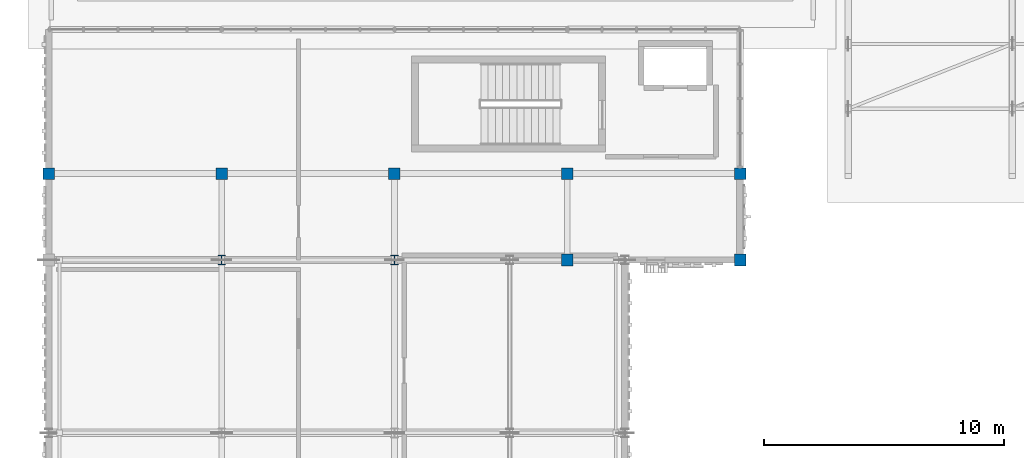
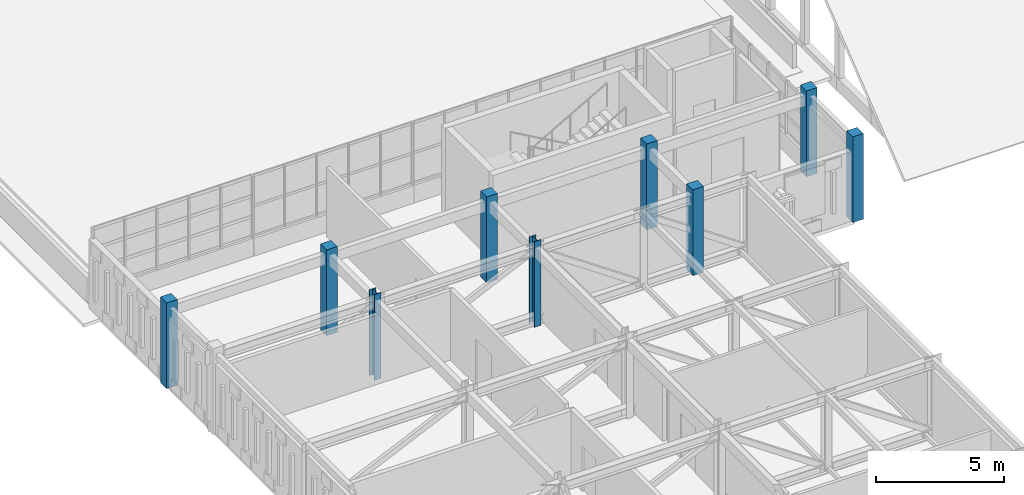
# One storey, part 3 of 79: 9 columns.
"""IFC4 building model written with IfcOpenShell, lengths in metres."""

import ifcopenshell
import ifcopenshell.guid

model = None  # the IFC model being written
_history = None  # IfcOwnerHistory: only IFC2X3 demands one
_inside = {}  # id of a spatial element -> (the spatial element, [elements in it])
_under = {}  # id of a project, library or spatial element -> (it, [spatial elements below it])
_declared = {}  # id of a project -> (the project, [libraries it declares])
_typed = {}  # id of a type object -> (the type object, [elements of that type])
_made_of = {}  # id of a material, layer set ... -> (it, [elements and type objects made of it])


def new_model(schema):
    """Start an empty IFC model of exactly this schema.

    Asked for "IFC4X3", IfcOpenShell would pick the latest addendum, in which some entities
    have other attributes; the version numbers below select the first issue.
    IFC2X3 requires an IfcOwnerHistory on every rooted entity: one is made here for all.
    """
    global model, _history
    if schema == "IFC4X3":
        model = ifcopenshell.file(schema_version=(4, 3, 0, 0))
    else:
        model = ifcopenshell.file(schema=schema)
    _inside.clear()
    _under.clear()
    _declared.clear()
    _typed.clear()
    _made_of.clear()
    _history = None
    if model.schema == "IFC2X3":
        org = make("IfcOrganization", Name="unknown")
        user = make(
            "IfcPersonAndOrganization",
            ThePerson=make("IfcPerson", FamilyName="unknown"),
            TheOrganization=org,
        )
        app = make(
            "IfcApplication",
            ApplicationDeveloper=org,
            Version="unknown",
            ApplicationFullName="unknown",
            ApplicationIdentifier="unknown",
        )
        _history = make(
            "IfcOwnerHistory",
            OwningUser=user,
            OwningApplication=app,
            ChangeAction="ADDED",
            CreationDate=0,
        )
    return model


def make(cls, **values):
    """One entity of the class cls with the attributes given. An attribute that is None is left unset."""
    return model.create_entity(
        cls, **{name: value for name, value in values.items() if value is not None}
    )


def rooted(cls, **values):
    """An entity with a GlobalId (a new one), such as an element, a storey or a relation."""
    return make(cls, GlobalId=ifcopenshell.guid.new(), OwnerHistory=_history, **values)


def si_unit(unit_type, name, prefix=None):
    """IfcSIUnit, for example si_unit("LENGTHUNIT", "METRE", prefix="MILLI")."""
    return make("IfcSIUnit", UnitType=unit_type, Prefix=prefix, Name=name)


def assignment(units):
    """IfcUnitAssignment: the units of a project."""
    return None if units is None else make("IfcUnitAssignment", Units=units)


def point(xyz):
    """IfcCartesianPoint."""
    return None if xyz is None else make("IfcCartesianPoint", Coordinates=xyz)


def direction(xyz):
    """IfcDirection."""
    return None if xyz is None else make("IfcDirection", DirectionRatios=xyz)


def frame(location, z_axis=None, x_axis=None):
    """IfcAxis2Placement3D, a coordinate frame: its origin and axes. An axis left out is left unset."""
    return make(
        "IfcAxis2Placement3D",
        Location=point(location),
        Axis=direction(z_axis),
        RefDirection=direction(x_axis),
    )


def frame_2d(location, x_axis=None):
    """IfcAxis2Placement2D, a coordinate frame in the plane: its origin and x axis."""
    return make(
        "IfcAxis2Placement2D", Location=point(location), RefDirection=direction(x_axis)
    )


def origin():
    """The frame at (0, 0, 0) with its axes left unset."""
    return frame((0.0, 0.0, 0.0))


def origin_2d():
    """The frame at (0, 0) in the plane with its x axis left unset."""
    return frame_2d((0.0, 0.0))


def place(relative_to, where):
    """IfcLocalPlacement: puts the frame where relative to a parent placement (None: the world)."""
    return make(
        "IfcLocalPlacement", PlacementRelTo=relative_to, RelativePlacement=where
    )


def context(
    kind, dimensions, precision=None, world=None, true_north=None, identifier=None
):
    """IfcGeometricRepresentationContext, for example the 3D "Model" context."""
    return make(
        "IfcGeometricRepresentationContext",
        ContextIdentifier=identifier,
        ContextType=kind,
        CoordinateSpaceDimension=dimensions,
        Precision=precision,
        WorldCoordinateSystem=world,
        TrueNorth=true_north,
    )


def subcontext(parent, identifier, kind, view, scale=None):
    """IfcGeometricRepresentationSubContext, for example "Body" below "Model"."""
    return make(
        "IfcGeometricRepresentationSubContext",
        ContextIdentifier=identifier,
        ContextType=kind,
        ParentContext=parent,
        TargetScale=scale,
        TargetView=view,
    )


def project(units=None, contexts=None):
    """IfcProject with its units and contexts."""
    return rooted(
        "IfcProject",
        Name="project",
        RepresentationContexts=contexts,
        UnitsInContext=assignment(units),
    )


def spatial(cls, under=None, at=None, **own):
    """A site, building, storey or space (cls), placed at a placement, below another one or the project."""
    s = rooted(cls, ObjectPlacement=at, **own)
    if under is not None:
        _under.setdefault(under.id(), (under, []))[1].append(s)
    return s


def profile(cls, at=None, kind="AREA", **sizes):
    """A parametric profile (cls). Its sizes go by their IFC names, for example OverallWidth=200.0."""
    return make(cls, ProfileType=kind, Position=at, **sizes)


def rectangle(**sizes):
    """IfcRectangleProfileDef."""
    return profile("IfcRectangleProfileDef", **sizes)


def i_section(**sizes):
    """IfcIShapeProfileDef."""
    return profile("IfcIShapeProfileDef", **sizes)


def extrude(swept, where, along, depth):
    """IfcExtrudedAreaSolid: the profile swept, set in the frame where, extruded along a direction by depth."""
    return make(
        "IfcExtrudedAreaSolid",
        SweptArea=swept,
        Position=where,
        ExtrudedDirection=direction(along),
        Depth=depth,
    )


def shape(context_of_items, identifier, shape_type, items):
    """IfcShapeRepresentation: the items that make up one representation, for example the "Body"."""
    return make(
        "IfcShapeRepresentation",
        ContextOfItems=context_of_items,
        RepresentationIdentifier=identifier,
        RepresentationType=shape_type,
        Items=items,
    )


def material(Name=None, Category=None):
    """IfcMaterial."""
    return make("IfcMaterial", Name=Name, Category=Category)


def material_profile(
    of_material, cross_section, Name=None, Category=None, Priority=None
):
    """IfcMaterialProfile: a cross section and its material."""
    return make(
        "IfcMaterialProfile",
        Name=Name,
        Material=of_material,
        Profile=cross_section,
        Priority=Priority,
        Category=Category,
    )


def profile_set(profiles, Name=None, composite=None):
    """IfcMaterialProfileSet."""
    return make(
        "IfcMaterialProfileSet",
        Name=Name,
        MaterialProfiles=profiles,
        CompositeProfile=composite,
    )


def made_of(thing, what):
    """Note that an element or type object is made of a material, layer set ...; save() writes the relation."""
    if what is not None:
        _made_of.setdefault(what.id(), (what, []))[1].append(thing)
    return thing


def type_object(cls, material=None, **own):
    """A type object (cls), such as IfcWallType, which elements share."""
    return made_of(rooted(cls, **own), material)


def element(
    cls,
    number,
    at=None,
    inside=None,
    cuts=None,
    type_object=None,
    material=None,
    context=None,
    identifier="Body",
    shape_type=None,
    held_by="IfcProductDefinitionShape",
    body=None,
    shapes=None,
    **own,
):
    """One element of the class cls, such as IfcWall. Its Tag is "e" and its number.

    at: its placement. inside: the storey or other place that contains it. cuts: it is an
    opening in that element (IfcRelVoidsElement). A single representation is given by context,
    identifier, shape_type and body (its items); several are given by shapes. held_by: the class
    of the entity that holds the representations. save() writes the other relations.
    """
    e = rooted(cls, Tag="e%d" % number, ObjectPlacement=at, **own)
    if body is not None:
        shapes = [shape(context, identifier, shape_type, body)]
    if shapes is not None:
        e.Representation = make(held_by, Representations=shapes)
    if inside is not None:
        _inside.setdefault(inside.id(), (inside, []))[1].append(e)
    if cuts is not None:
        rooted(
            "IfcRelVoidsElement", RelatingBuildingElement=cuts, RelatedOpeningElement=e
        )
    if type_object is not None:
        _typed.setdefault(type_object.id(), (type_object, []))[1].append(e)
    return made_of(e, material)


def aggregate(whole, parts):
    """IfcRelAggregates: a whole, such as a stair, and the parts it consists of."""
    return rooted("IfcRelAggregates", RelatingObject=whole, RelatedObjects=parts)


def save(model, path):
    """Write the relations noted so far, then the file.

    IfcRelAggregates (storeys below a building ...), IfcRelContainedInSpatialStructure (elements
    in a storey), IfcRelDefinesByType, IfcRelAssociatesMaterial and IfcRelDeclares: one each for
    every whole, place, type object, material and project.
    """
    for whole, parts in _under.values():
        aggregate(whole, parts)
    for where, things in _inside.values():
        rooted(
            "IfcRelContainedInSpatialStructure",
            RelatedElements=things,
            RelatingStructure=where,
        )
    for kind, things in _typed.values():
        rooted("IfcRelDefinesByType", RelatedObjects=things, RelatingType=kind)
    for what, things in _made_of.values():
        rooted("IfcRelAssociatesMaterial", RelatedObjects=things, RelatingMaterial=what)
    for by, libraries in _declared.values():
        rooted("IfcRelDeclares", RelatingContext=by, RelatedDefinitions=libraries)
    model.write(path)


model = new_model("IFC4")

# Units and contexts
model_context = context("Model", 3, precision=1e-05, world=origin(), true_north=direction((0.0, 1.0)))
body_context = subcontext(model_context, "Body", "Model", "MODEL_VIEW")
ifc_project = project(units=[si_unit("LENGTHUNIT", "METRE"), si_unit("AREAUNIT", "SQUARE_METRE"), si_unit("VOLUMEUNIT", "CUBIC_METRE"), si_unit("PLANEANGLEUNIT", "RADIAN"), si_unit("MASSUNIT", "GRAM", prefix="KILO")], contexts=[model_context])

# Site, building, storey
site_placement = place(None, origin())
site = spatial("IfcSite", under=ifc_project, at=site_placement, CompositionType="ELEMENT")
building_placement = place(site_placement, origin())
building = spatial("IfcBuilding", under=site, at=building_placement, Name="Nzembalo Square Collegiate School", CompositionType="ELEMENT")
storey_placement = place(building_placement, frame((0.0, 0.0, 9.52001953125)))
storey = spatial("IfcBuildingStorey", under=building, at=storey_placement, Name="L02", CompositionType="ELEMENT", Elevation=9.52001953125)

# Columns
ifc_material_1 = material(Name="Glulam GL28h", Category="wood")
ifc_material_profile_1 = material_profile(ifc_material_1, rectangle(XDim=0.47998046875, YDim=0.47998046875, at=origin_2d()), Name="GL28h 480x480")
ifc_profile_set_1 = profile_set([ifc_material_profile_1], Name="Glulam GL28h")
column_type_1 = type_object("IfcColumnType", Name="C05", PredefinedType="COLUMN", material=ifc_profile_set_1)
for number, where, z_axis, x_axis, name in (
    (1, (8.39990234375, 82.800048828125, 0.0), (0.0, 0.0, 1.0), (1.0, 0.0, 0.0), "Column C05 L02 2/M"),
    (2, (15.60009765625, 82.800048828125, 0.0), (0.0, 0.0, 1.0), (1.0, 0.0, 0.0), "Column C05 L02 3/M"),
    (3, (22.800048828125, 82.800048828125, 0.0), (0.0, 0.0, 1.0), (1.0, 0.0, 0.0), "Column C05 L02 4/M"),
    (4, (30.0, 79.199951171875, 0.0), (0.0, 0.0, 1.0), (1.0, 0.0, 0.0), "Column C05 L02 5/L"),
    (5, (30.0, 82.800048828125, 0.0), (0.0, 0.0, 1.0), (1.0, 0.0, 0.0), "Column C05 L02 5/M"),
    (6, (37.199951171875, 79.199951171875, 0.0), (0.0, 0.0, 1.0), (1.0, 0.0, 0.0), "Column C05 L02 6/L"),
    (7, (37.199951171875, 82.800048828125, 0.0), (0.0, 0.0, 1.0), (1.0, 0.0, 0.0), "Column C05 L02 6/M"),
):
    element("IfcColumn", number, at=place(storey_placement, frame(where, z_axis=z_axis, x_axis=x_axis)), inside=storey, type_object=column_type_1, Name=name, PredefinedType="COLUMN", context=body_context, shape_type="SweptSolid", body=[
        extrude(rectangle(XDim=0.47998046875, YDim=0.47998046875, at=origin_2d()), origin(), (0.0, 0.0, 1.0), 4.080078125),
    ])
ifc_material_2 = material(Name="Steel S355", Category="steel")
ifc_material_profile_2 = material_profile(ifc_material_2, i_section(OverallWidth=0.300048828125, OverallDepth=0.39990234375, WebThickness=0.013427734375, FlangeThickness=0.02392578125, at=origin_2d()), Name="HEB 400")
ifc_profile_set_2 = profile_set([ifc_material_profile_2], Name="Steel S355")
column_type_2 = type_object("IfcColumnType", Name="C07", PredefinedType="COLUMN", material=ifc_profile_set_2)
for number, where, z_axis, x_axis, name in (
    (8, (15.60009765625, 79.199951171875, 0.0), (0.0, 0.0, 1.0), (1.0, 0.0, 0.0), "Column C07 L02 3/L"),
    (9, (22.800048828125, 79.199951171875, 0.0), (0.0, 0.0, 1.0), (1.0, 0.0, 0.0), "Column C07 L02 4/L"),
):
    element("IfcColumn", number, at=place(storey_placement, frame(where, z_axis=z_axis, x_axis=x_axis)), inside=storey, type_object=column_type_2, Name=name, PredefinedType="COLUMN", context=body_context, shape_type="SweptSolid", body=[
        extrude(i_section(OverallWidth=0.300048828125, OverallDepth=0.39990234375, WebThickness=0.013427734375, FlangeThickness=0.02392578125, at=origin_2d()), origin(), (0.0, 0.0, 1.0), 4.080078125),
    ])

save(model, "model.ifc")
